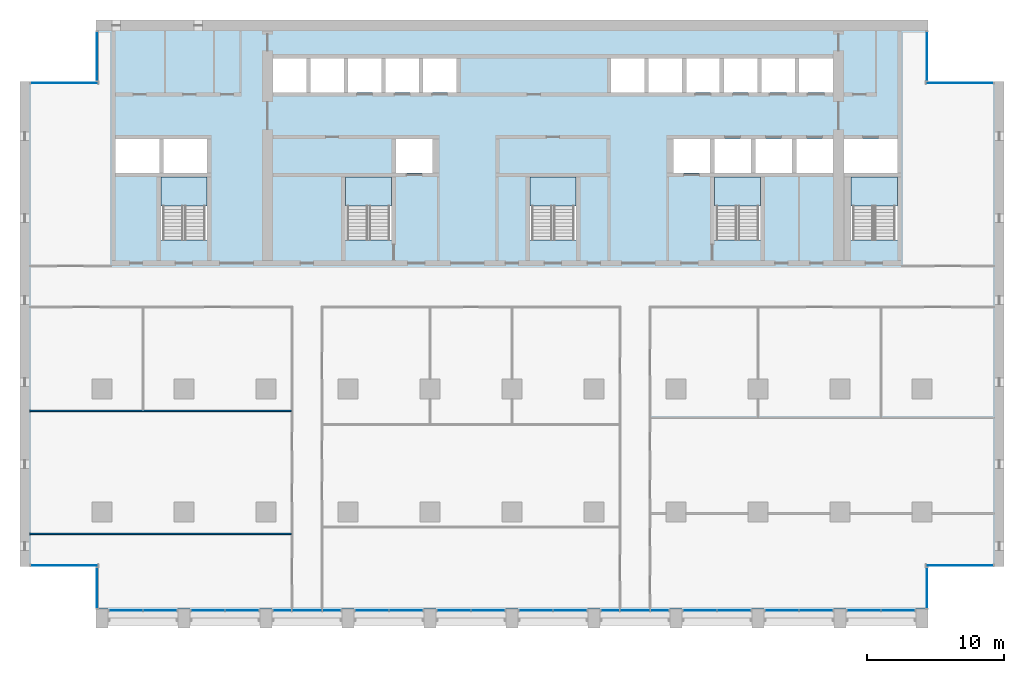
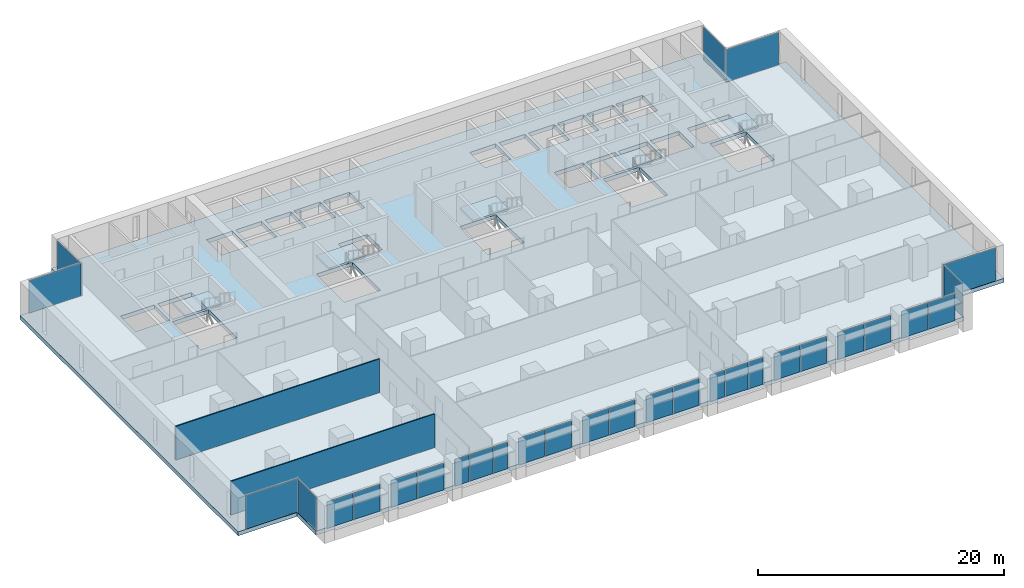
# One storey, part 7 of 17: 30 plates, 6 slabs, 2 walls, 23 elements without a shape of their own.
"""IFC4 building model written with IfcOpenShell, lengths in metres."""

from ifc_helpers import new_model, si_unit, direction, frame, frame_2d, origin, origin_2d, place, context, subcontext, project, spatial, polyline, rectangle, outline, extrude, material, layer, layer_set, type_object, element, aggregate, save


model = new_model("IFC4")

# Units and contexts
model_context = context("Model", 3, precision=1e-05, world=origin(), true_north=direction((0.0, 1.0)))
body_context = subcontext(model_context, "Body", "Model", "MODEL_VIEW")
ifc_project = project(units=[si_unit("LENGTHUNIT", "METRE"), si_unit("AREAUNIT", "SQUARE_METRE"), si_unit("VOLUMEUNIT", "CUBIC_METRE"), si_unit("PLANEANGLEUNIT", "RADIAN"), si_unit("MASSUNIT", "GRAM", prefix="KILO")], contexts=[model_context])

# Site, building, storey
site_placement = place(None, origin())
site = spatial("IfcSite", under=ifc_project, at=site_placement, CompositionType="ELEMENT")
building_placement = place(site_placement, origin())
building = spatial("IfcBuilding", under=site, at=building_placement, Name="Calvaro Tower", CompositionType="ELEMENT")
storey_placement = place(building_placement, frame((0.0, 0.0, 98.75)))
storey = spatial("IfcBuildingStorey", under=building, at=storey_placement, Name="L24", CompositionType="ELEMENT", Elevation=98.75)

# Slab
ifc_material_1 = material(Name="Concrete C40/50", Category="concrete")
ifc_layer_1 = layer(ifc_material_1, 0.39990234375)
ifc_layer_set_1 = layer_set([ifc_layer_1], Name="Concrete C40/50")
slab_type_1 = type_object("IfcSlabType", Name="Floor slab 400 C40/50", PredefinedType="FLOOR", material=ifc_layer_set_1)
slab_1_placement = place(storey_placement, frame((0.0, 0.0, -0.39990234375)))
element("IfcSlab", 1, at=slab_1_placement, inside=storey, type_object=slab_type_1, Name="Floor slab", PredefinedType="FLOOR", context=body_context, shape_type="SweptSolid", body=[
    extrude(outline(polyline([(66.449951171875, 6.0), (66.449951171875, 2.89990234375), (5.550048828125, 2.89990234375), (5.550048828125, 6.0), (0.0, 6.0), (0.0, 41.5), (5.550048828125, 41.5), (5.550048828125, 46.0), (66.449951171875, 46.0), (66.449951171875, 41.5), (72.0, 41.5), (72.0, 6.0), (66.449951171875, 6.0)]), holes=[polyline([(10.300048828125, 29.909912109375), (10.300048828125, 34.5), (12.0, 34.5), (13.699951171875, 34.5), (13.699951171875, 29.909912109375), (12.0, 29.909912109375), (10.300048828125, 29.909912109375)]), polyline([(23.800048828125, 29.909912109375), (23.800048828125, 34.5), (25.5, 34.5), (27.199951171875, 34.5), (27.199951171875, 29.909912109375), (25.5, 29.909912109375), (23.800048828125, 29.909912109375)]), polyline([(37.300048828125, 29.909912109375), (37.300048828125, 34.5), (39.0, 34.5), (40.699951171875, 34.5), (40.699951171875, 29.909912109375), (39.0, 29.909912109375), (37.300048828125, 29.909912109375)]), polyline([(50.800048828125, 29.909912109375), (50.800048828125, 34.5), (52.5, 34.5), (54.199951171875, 34.5), (54.199951171875, 29.909912109375), (52.5, 29.909912109375), (50.800048828125, 29.909912109375)]), polyline([(60.800048828125, 29.909912109375), (60.800048828125, 34.5), (62.5, 34.5), (64.199951171875, 34.5), (64.199951171875, 29.909912109375), (62.5, 29.909912109375), (60.800048828125, 29.909912109375)]), polyline([(50.800048828125, 34.800048828125), (53.5, 34.800048828125), (53.5, 37.300048828125), (50.800048828125, 37.300048828125), (50.800048828125, 34.800048828125)]), polyline([(53.800048828125, 34.800048828125), (56.5, 34.800048828125), (56.5, 37.300048828125), (53.800048828125, 37.300048828125), (53.800048828125, 34.800048828125)]), polyline([(56.800048828125, 34.800048828125), (59.5, 34.800048828125), (59.5, 37.300048828125), (56.800048828125, 37.300048828125), (56.800048828125, 34.800048828125)]), polyline([(18.5, 40.699951171875), (20.949951171875, 40.699951171875), (20.949951171875, 43.199951171875), (18.5, 43.199951171875), (18.5, 40.699951171875)]), polyline([(21.25, 40.699951171875), (23.699951171875, 40.699951171875), (23.699951171875, 43.199951171875), (21.25, 43.199951171875), (21.25, 40.699951171875)]), polyline([(24.0, 40.699951171875), (26.449951171875, 40.699951171875), (26.449951171875, 43.199951171875), (24.0, 43.199951171875), (24.0, 40.699951171875)]), polyline([(26.75, 40.699951171875), (29.199951171875, 40.699951171875), (29.199951171875, 43.199951171875), (26.75, 43.199951171875), (26.75, 40.699951171875)]), polyline([(29.5, 40.699951171875), (31.949951171875, 40.699951171875), (31.949951171875, 43.199951171875), (29.5, 43.199951171875), (29.5, 40.699951171875)]), polyline([(43.25, 40.699951171875), (45.699951171875, 40.699951171875), (45.699951171875, 43.199951171875), (43.25, 43.199951171875), (43.25, 40.699951171875)]), polyline([(46.0, 40.699951171875), (48.449951171875, 40.699951171875), (48.449951171875, 43.199951171875), (46.0, 43.199951171875), (46.0, 40.699951171875)]), polyline([(48.75, 40.699951171875), (51.199951171875, 40.699951171875), (51.199951171875, 43.199951171875), (48.75, 43.199951171875), (48.75, 40.699951171875)]), polyline([(51.5, 40.699951171875), (53.949951171875, 40.699951171875), (53.949951171875, 43.199951171875), (51.5, 43.199951171875), (51.5, 40.699951171875)]), polyline([(54.25, 40.699951171875), (56.699951171875, 40.699951171875), (56.699951171875, 43.199951171875), (54.25, 43.199951171875), (54.25, 40.699951171875)]), polyline([(57.0, 40.699951171875), (59.5, 40.699951171875), (59.5, 43.199951171875), (57.0, 43.199951171875), (57.0, 40.699951171875)]), polyline([(7.0, 34.800048828125), (10.199951171875, 34.800048828125), (10.199951171875, 37.300048828125), (7.0, 37.300048828125), (7.0, 34.800048828125)]), polyline([(10.5, 34.800048828125), (13.699951171875, 34.800048828125), (13.699951171875, 37.300048828125), (10.5, 37.300048828125), (10.5, 34.800048828125)]), polyline([(60.300048828125, 34.800048828125), (64.199951171875, 34.800048828125), (64.199951171875, 37.300048828125), (60.300048828125, 37.300048828125), (60.300048828125, 34.800048828125)]), polyline([(27.5, 34.800048828125), (30.199951171875, 34.800048828125), (30.199951171875, 37.300048828125), (27.5, 37.300048828125), (27.5, 34.800048828125)]), polyline([(47.800048828125, 34.800048828125), (50.5, 34.800048828125), (50.5, 37.300048828125), (47.800048828125, 37.300048828125), (47.800048828125, 34.800048828125)])]), origin(), (0.0, 0.0, 1.0), 0.39990234375),
])

# Curtain wall, plates
ifc_material_2 = material(Name="Anodised aluminium", Category="aluminium")
curtain_wall_type = type_object("IfcCurtainWallType", Name="Office curtain wall, middle zone", PredefinedType="NOTDEFINED", material=ifc_material_2)
curtain_wall_1_placement = place(storey_placement, origin())
curtain_wall_1 = element("IfcCurtainWall", 2, at=curtain_wall_1_placement, inside=storey, type_object=curtain_wall_type, Name="CW2 south curtain wall", PredefinedType="NOTDEFINED")
ifc_material_3 = material(Name="Glass", Category="glass")
ifc_layer_2 = layer(ifc_material_3, 0.031982421875)
ifc_layer_set_2 = layer_set([ifc_layer_2], Name="Glass")
plate_type = type_object("IfcPlateType", Name="Glass panel S2 32", PredefinedType="CURTAIN_PANEL", material=ifc_layer_set_2)
plate_1_placement = place(storey_placement, frame((7.742431640625, 2.800048828125, 0.0), z_axis=(0.0, 0.0, 1.0), x_axis=(1.0, 0.0, 0.0)))
plate_1 = element("IfcPlate", 3, at=plate_1_placement, type_object=plate_type, Name="CW2 glass panel 1.1", PredefinedType="CURTAIN_PANEL", context=body_context, shape_type="SweptSolid", body=[
    extrude(rectangle(XDim=2.445068359375, YDim=0.031982421875, at=origin_2d()), origin(), (0.0, 0.0, 1.0), 2.64990234375),
])
plate_2_placement = place(storey_placement, frame((10.257568359375, 2.800048828125, 0.0), z_axis=(0.0, 0.0, 1.0), x_axis=(1.0, 0.0, 0.0)))
plate_2 = element("IfcPlate", 4, at=plate_2_placement, type_object=plate_type, Name="CW2 glass panel 2.1", PredefinedType="CURTAIN_PANEL", context=body_context, shape_type="SweptSolid", body=[
    extrude(rectangle(XDim=2.445068359375, YDim=0.031982421875, at=origin_2d()), origin(), (0.0, 0.0, 1.0), 2.64990234375),
])
aggregate(curtain_wall_1, [plate_1, plate_2])

curtain_wall_2_placement = place(storey_placement, origin())
curtain_wall_2 = element("IfcCurtainWall", 5, at=curtain_wall_2_placement, inside=storey, type_object=curtain_wall_type, Name="CW2 south curtain wall", PredefinedType="NOTDEFINED")
plate_3_placement = place(storey_placement, frame((13.742431640625, 2.800048828125, 0.0), z_axis=(0.0, 0.0, 1.0), x_axis=(1.0, 0.0, 0.0)))
plate_3 = element("IfcPlate", 6, at=plate_3_placement, type_object=plate_type, Name="CW2 glass panel 1.1", PredefinedType="CURTAIN_PANEL", context=body_context, shape_type="SweptSolid", body=[
    extrude(rectangle(XDim=2.445068359375, YDim=0.031982421875, at=origin_2d()), origin(), (0.0, 0.0, 1.0), 2.64990234375),
])
plate_4_placement = place(storey_placement, frame((16.257568359375, 2.800048828125, 0.0), z_axis=(0.0, 0.0, 1.0), x_axis=(1.0, 0.0, 0.0)))
plate_4 = element("IfcPlate", 7, at=plate_4_placement, type_object=plate_type, Name="CW2 glass panel 2.1", PredefinedType="CURTAIN_PANEL", context=body_context, shape_type="SweptSolid", body=[
    extrude(rectangle(XDim=2.445068359375, YDim=0.031982421875, at=origin_2d()), origin(), (0.0, 0.0, 1.0), 2.64990234375),
])
aggregate(curtain_wall_2, [plate_3, plate_4])

curtain_wall_3_placement = place(storey_placement, origin())
curtain_wall_3 = element("IfcCurtainWall", 8, at=curtain_wall_3_placement, inside=storey, type_object=curtain_wall_type, Name="CW2 south curtain wall", PredefinedType="NOTDEFINED")
plate_5_placement = place(storey_placement, frame((19.1923828125, 2.800048828125, 0.0), z_axis=(0.0, 0.0, 1.0), x_axis=(1.0, 0.0, 0.0)))
plate_5 = element("IfcPlate", 9, at=plate_5_placement, type_object=plate_type, Name="CW2 glass panel 1.1", PredefinedType="CURTAIN_PANEL", context=body_context, shape_type="SweptSolid", body=[
    extrude(rectangle(XDim=1.344970703125, YDim=0.031982421875, at=origin_2d()), origin(), (0.0, 0.0, 1.0), 2.64990234375),
])
plate_6_placement = place(storey_placement, frame((21.0, 2.800048828125, 0.0), z_axis=(0.0, 0.0, 1.0), x_axis=(1.0, 0.0, 0.0)))
plate_6 = element("IfcPlate", 10, at=plate_6_placement, type_object=plate_type, Name="CW2 glass panel 2.1", PredefinedType="CURTAIN_PANEL", context=body_context, shape_type="SweptSolid", body=[
    extrude(rectangle(XDim=2.1298828125, YDim=0.031982421875, at=origin_2d()), origin(), (0.0, 0.0, 1.0), 2.64990234375),
])
plate_7_placement = place(storey_placement, frame((22.8076171875, 2.800048828125, 0.0), z_axis=(0.0, 0.0, 1.0), x_axis=(1.0, 0.0, 0.0)))
plate_7 = element("IfcPlate", 11, at=plate_7_placement, type_object=plate_type, Name="CW2 glass panel 3.1", PredefinedType="CURTAIN_PANEL", context=body_context, shape_type="SweptSolid", body=[
    extrude(rectangle(XDim=1.344970703125, YDim=0.031982421875, at=origin_2d()), origin(), (0.0, 0.0, 1.0), 2.64990234375),
])
aggregate(curtain_wall_3, [plate_5, plate_6, plate_7])

curtain_wall_4_placement = place(storey_placement, origin())
curtain_wall_4 = element("IfcCurtainWall", 12, at=curtain_wall_4_placement, inside=storey, type_object=curtain_wall_type, Name="CW2 south curtain wall", PredefinedType="NOTDEFINED")
plate_8_placement = place(storey_placement, frame((25.742431640625, 2.800048828125, 0.0), z_axis=(0.0, 0.0, 1.0), x_axis=(1.0, 0.0, 0.0)))
plate_8 = element("IfcPlate", 13, at=plate_8_placement, type_object=plate_type, Name="CW2 glass panel 1.1", PredefinedType="CURTAIN_PANEL", context=body_context, shape_type="SweptSolid", body=[
    extrude(rectangle(XDim=2.445068359375, YDim=0.031982421875, at=origin_2d()), origin(), (0.0, 0.0, 1.0), 2.64990234375),
])
plate_9_placement = place(storey_placement, frame((28.257568359375, 2.800048828125, 0.0), z_axis=(0.0, 0.0, 1.0), x_axis=(1.0, 0.0, 0.0)))
plate_9 = element("IfcPlate", 14, at=plate_9_placement, type_object=plate_type, Name="CW2 glass panel 2.1", PredefinedType="CURTAIN_PANEL", context=body_context, shape_type="SweptSolid", body=[
    extrude(rectangle(XDim=2.445068359375, YDim=0.031982421875, at=origin_2d()), origin(), (0.0, 0.0, 1.0), 2.64990234375),
])
aggregate(curtain_wall_4, [plate_8, plate_9])

curtain_wall_5_placement = place(storey_placement, origin())
curtain_wall_5 = element("IfcCurtainWall", 15, at=curtain_wall_5_placement, inside=storey, type_object=curtain_wall_type, Name="CW2 south curtain wall", PredefinedType="NOTDEFINED")
plate_10_placement = place(storey_placement, frame((31.742431640625, 2.800048828125, 0.0), z_axis=(0.0, 0.0, 1.0), x_axis=(1.0, 0.0, 0.0)))
plate_10 = element("IfcPlate", 16, at=plate_10_placement, type_object=plate_type, Name="CW2 glass panel 1.1", PredefinedType="CURTAIN_PANEL", context=body_context, shape_type="SweptSolid", body=[
    extrude(rectangle(XDim=2.445068359375, YDim=0.031982421875, at=origin_2d()), origin(), (0.0, 0.0, 1.0), 2.64990234375),
])
plate_11_placement = place(storey_placement, frame((34.257568359375, 2.800048828125, 0.0), z_axis=(0.0, 0.0, 1.0), x_axis=(1.0, 0.0, 0.0)))
plate_11 = element("IfcPlate", 17, at=plate_11_placement, type_object=plate_type, Name="CW2 glass panel 2.1", PredefinedType="CURTAIN_PANEL", context=body_context, shape_type="SweptSolid", body=[
    extrude(rectangle(XDim=2.445068359375, YDim=0.031982421875, at=origin_2d()), origin(), (0.0, 0.0, 1.0), 2.64990234375),
])
aggregate(curtain_wall_5, [plate_10, plate_11])

curtain_wall_6_placement = place(storey_placement, origin())
curtain_wall_6 = element("IfcCurtainWall", 18, at=curtain_wall_6_placement, inside=storey, type_object=curtain_wall_type, Name="CW2 south curtain wall", PredefinedType="NOTDEFINED")
plate_12_placement = place(storey_placement, frame((37.742431640625, 2.800048828125, 0.0), z_axis=(0.0, 0.0, 1.0), x_axis=(1.0, 0.0, 0.0)))
plate_12 = element("IfcPlate", 19, at=plate_12_placement, type_object=plate_type, Name="CW2 glass panel 1.1", PredefinedType="CURTAIN_PANEL", context=body_context, shape_type="SweptSolid", body=[
    extrude(rectangle(XDim=2.445068359375, YDim=0.031982421875, at=origin_2d()), origin(), (0.0, 0.0, 1.0), 2.64990234375),
])
plate_13_placement = place(storey_placement, frame((40.257568359375, 2.800048828125, 0.0), z_axis=(0.0, 0.0, 1.0), x_axis=(1.0, 0.0, 0.0)))
plate_13 = element("IfcPlate", 20, at=plate_13_placement, type_object=plate_type, Name="CW2 glass panel 2.1", PredefinedType="CURTAIN_PANEL", context=body_context, shape_type="SweptSolid", body=[
    extrude(rectangle(XDim=2.445068359375, YDim=0.031982421875, at=origin_2d()), origin(), (0.0, 0.0, 1.0), 2.64990234375),
])
aggregate(curtain_wall_6, [plate_12, plate_13])

curtain_wall_7_placement = place(storey_placement, origin())
curtain_wall_7 = element("IfcCurtainWall", 21, at=curtain_wall_7_placement, inside=storey, type_object=curtain_wall_type, Name="CW2 south curtain wall", PredefinedType="NOTDEFINED")
plate_14_placement = place(storey_placement, frame((43.1923828125, 2.800048828125, 0.0), z_axis=(0.0, 0.0, 1.0), x_axis=(1.0, 0.0, 0.0)))
plate_14 = element("IfcPlate", 22, at=plate_14_placement, type_object=plate_type, Name="CW2 glass panel 1.1", PredefinedType="CURTAIN_PANEL", context=body_context, shape_type="SweptSolid", body=[
    extrude(rectangle(XDim=1.344970703125, YDim=0.031982421875, at=origin_2d()), origin(), (0.0, 0.0, 1.0), 2.64990234375),
])
plate_15_placement = place(storey_placement, frame((45.0, 2.800048828125, 0.0), z_axis=(0.0, 0.0, 1.0), x_axis=(1.0, 0.0, 0.0)))
plate_15 = element("IfcPlate", 23, at=plate_15_placement, type_object=plate_type, Name="CW2 glass panel 2.1", PredefinedType="CURTAIN_PANEL", context=body_context, shape_type="SweptSolid", body=[
    extrude(rectangle(XDim=2.1298828125, YDim=0.031982421875, at=origin_2d()), origin(), (0.0, 0.0, 1.0), 2.64990234375),
])
plate_16_placement = place(storey_placement, frame((46.8076171875, 2.800048828125, 0.0), z_axis=(0.0, 0.0, 1.0), x_axis=(1.0, 0.0, 0.0)))
plate_16 = element("IfcPlate", 24, at=plate_16_placement, type_object=plate_type, Name="CW2 glass panel 3.1", PredefinedType="CURTAIN_PANEL", context=body_context, shape_type="SweptSolid", body=[
    extrude(rectangle(XDim=1.344970703125, YDim=0.031982421875, at=origin_2d()), origin(), (0.0, 0.0, 1.0), 2.64990234375),
])
aggregate(curtain_wall_7, [plate_14, plate_15, plate_16])

curtain_wall_8_placement = place(storey_placement, origin())
curtain_wall_8 = element("IfcCurtainWall", 25, at=curtain_wall_8_placement, inside=storey, type_object=curtain_wall_type, Name="CW2 south curtain wall", PredefinedType="NOTDEFINED")
plate_17_placement = place(storey_placement, frame((49.742431640625, 2.800048828125, 0.0), z_axis=(0.0, 0.0, 1.0), x_axis=(1.0, 0.0, 0.0)))
plate_17 = element("IfcPlate", 26, at=plate_17_placement, type_object=plate_type, Name="CW2 glass panel 1.1", PredefinedType="CURTAIN_PANEL", context=body_context, shape_type="SweptSolid", body=[
    extrude(rectangle(XDim=2.445068359375, YDim=0.031982421875, at=origin_2d()), origin(), (0.0, 0.0, 1.0), 2.64990234375),
])
plate_18_placement = place(storey_placement, frame((52.257568359375, 2.800048828125, 0.0), z_axis=(0.0, 0.0, 1.0), x_axis=(1.0, 0.0, 0.0)))
plate_18 = element("IfcPlate", 27, at=plate_18_placement, type_object=plate_type, Name="CW2 glass panel 2.1", PredefinedType="CURTAIN_PANEL", context=body_context, shape_type="SweptSolid", body=[
    extrude(rectangle(XDim=2.445068359375, YDim=0.031982421875, at=origin_2d()), origin(), (0.0, 0.0, 1.0), 2.64990234375),
])
aggregate(curtain_wall_8, [plate_17, plate_18])

curtain_wall_9_placement = place(storey_placement, origin())
curtain_wall_9 = element("IfcCurtainWall", 28, at=curtain_wall_9_placement, inside=storey, type_object=curtain_wall_type, Name="CW2 south curtain wall", PredefinedType="NOTDEFINED")
plate_19_placement = place(storey_placement, frame((55.742431640625, 2.800048828125, 0.0), z_axis=(0.0, 0.0, 1.0), x_axis=(1.0, 0.0, 0.0)))
plate_19 = element("IfcPlate", 29, at=plate_19_placement, type_object=plate_type, Name="CW2 glass panel 1.1", PredefinedType="CURTAIN_PANEL", context=body_context, shape_type="SweptSolid", body=[
    extrude(rectangle(XDim=2.445068359375, YDim=0.031982421875, at=origin_2d()), origin(), (0.0, 0.0, 1.0), 2.64990234375),
])
plate_20_placement = place(storey_placement, frame((58.257568359375, 2.800048828125, 0.0), z_axis=(0.0, 0.0, 1.0), x_axis=(1.0, 0.0, 0.0)))
plate_20 = element("IfcPlate", 30, at=plate_20_placement, type_object=plate_type, Name="CW2 glass panel 2.1", PredefinedType="CURTAIN_PANEL", context=body_context, shape_type="SweptSolid", body=[
    extrude(rectangle(XDim=2.445068359375, YDim=0.031982421875, at=origin_2d()), origin(), (0.0, 0.0, 1.0), 2.64990234375),
])
aggregate(curtain_wall_9, [plate_19, plate_20])

curtain_wall_10_placement = place(storey_placement, origin())
curtain_wall_10 = element("IfcCurtainWall", 31, at=curtain_wall_10_placement, inside=storey, type_object=curtain_wall_type, Name="CW2 south curtain wall", PredefinedType="NOTDEFINED")
plate_21_placement = place(storey_placement, frame((61.742431640625, 2.800048828125, 0.0), z_axis=(0.0, 0.0, 1.0), x_axis=(1.0, 0.0, 0.0)))
plate_21 = element("IfcPlate", 32, at=plate_21_placement, type_object=plate_type, Name="CW2 glass panel 1.1", PredefinedType="CURTAIN_PANEL", context=body_context, shape_type="SweptSolid", body=[
    extrude(rectangle(XDim=2.445068359375, YDim=0.031982421875, at=origin_2d()), origin(), (0.0, 0.0, 1.0), 2.64990234375),
])
plate_22_placement = place(storey_placement, frame((64.257568359375, 2.800048828125, 0.0), z_axis=(0.0, 0.0, 1.0), x_axis=(1.0, 0.0, 0.0)))
plate_22 = element("IfcPlate", 33, at=plate_22_placement, type_object=plate_type, Name="CW2 glass panel 2.1", PredefinedType="CURTAIN_PANEL", context=body_context, shape_type="SweptSolid", body=[
    extrude(rectangle(XDim=2.445068359375, YDim=0.031982421875, at=origin_2d()), origin(), (0.0, 0.0, 1.0), 2.64990234375),
])
aggregate(curtain_wall_10, [plate_21, plate_22])

# Curtain wall, plate
curtain_wall_11_placement = place(storey_placement, origin())
curtain_wall_11 = element("IfcCurtainWall", 34, at=curtain_wall_11_placement, inside=storey, type_object=curtain_wall_type, Name="CW2 corner curtain wall", PredefinedType="NOTDEFINED")
plate_23_placement = place(storey_placement, frame((5.64990234375, 4.449951171875, 0.0), z_axis=(0.0, 0.0, 1.0), x_axis=(0.0, 1.0, 0.0)))
plate_23 = element("IfcPlate", 35, at=plate_23_placement, type_object=plate_type, Name="CW2 glass panel 1.1", PredefinedType="CURTAIN_PANEL", context=body_context, shape_type="SweptSolid", body=[
    extrude(rectangle(XDim=2.9599609375, YDim=0.031982421875, at=origin_2d()), origin(), (0.0, 0.0, 1.0), 3.25),
])
aggregate(curtain_wall_11, [plate_23])

curtain_wall_12_placement = place(storey_placement, origin())
curtain_wall_12 = element("IfcCurtainWall", 36, at=curtain_wall_12_placement, inside=storey, type_object=curtain_wall_type, Name="CW2 corner curtain wall", PredefinedType="NOTDEFINED")
plate_24_placement = place(storey_placement, frame((3.22509765625, 6.10009765625, 0.0), z_axis=(0.0, 0.0, 1.0), x_axis=(1.0, 0.0, 0.0)))
plate_24 = element("IfcPlate", 37, at=plate_24_placement, type_object=plate_type, Name="CW2 glass panel 1.1", PredefinedType="CURTAIN_PANEL", context=body_context, shape_type="SweptSolid", body=[
    extrude(rectangle(XDim=4.909912109375, YDim=0.031982421875, at=origin_2d()), origin(), (0.0, 0.0, 1.0), 3.25),
])
aggregate(curtain_wall_12, [plate_24])

curtain_wall_13_placement = place(storey_placement, origin())
curtain_wall_13 = element("IfcCurtainWall", 38, at=curtain_wall_13_placement, inside=storey, type_object=curtain_wall_type, Name="CW2 corner curtain wall", PredefinedType="NOTDEFINED")
plate_25_placement = place(storey_placement, frame((5.64990234375, 43.35009765625, 0.0), z_axis=(0.0, 0.0, 1.0), x_axis=(0.0, 1.0, 0.0)))
plate_25 = element("IfcPlate", 39, at=plate_25_placement, type_object=plate_type, Name="CW2 glass panel 1.1", PredefinedType="CURTAIN_PANEL", context=body_context, shape_type="SweptSolid", body=[
    extrude(rectangle(XDim=3.56005859375, YDim=0.031982421875, at=origin_2d()), origin(), (0.0, 0.0, 1.0), 3.25),
])
aggregate(curtain_wall_13, [plate_25])

curtain_wall_14_placement = place(storey_placement, origin())
curtain_wall_14 = element("IfcCurtainWall", 40, at=curtain_wall_14_placement, inside=storey, type_object=curtain_wall_type, Name="CW2 corner curtain wall", PredefinedType="NOTDEFINED")
plate_26_placement = place(storey_placement, frame((3.22509765625, 41.39990234375, 0.0), z_axis=(0.0, 0.0, 1.0), x_axis=(1.0, 0.0, 0.0)))
plate_26 = element("IfcPlate", 41, at=plate_26_placement, type_object=plate_type, Name="CW2 glass panel 1.1", PredefinedType="CURTAIN_PANEL", context=body_context, shape_type="SweptSolid", body=[
    extrude(rectangle(XDim=4.909912109375, YDim=0.031982421875, at=origin_2d()), origin(), (0.0, 0.0, 1.0), 3.25),
])
aggregate(curtain_wall_14, [plate_26])

curtain_wall_15_placement = place(storey_placement, origin())
curtain_wall_15 = element("IfcCurtainWall", 42, at=curtain_wall_15_placement, inside=storey, type_object=curtain_wall_type, Name="CW2 corner curtain wall", PredefinedType="NOTDEFINED")
plate_27_placement = place(storey_placement, frame((66.35009765625, 4.449951171875, 0.0), z_axis=(0.0, 0.0, 1.0), x_axis=(0.0, 1.0, 0.0)))
plate_27 = element("IfcPlate", 43, at=plate_27_placement, type_object=plate_type, Name="CW2 glass panel 1.1", PredefinedType="CURTAIN_PANEL", context=body_context, shape_type="SweptSolid", body=[
    extrude(rectangle(XDim=2.9599609375, YDim=0.031982421875, at=origin_2d()), origin(), (0.0, 0.0, 1.0), 3.25),
])
aggregate(curtain_wall_15, [plate_27])

curtain_wall_16_placement = place(storey_placement, origin())
curtain_wall_16 = element("IfcCurtainWall", 44, at=curtain_wall_16_placement, inside=storey, type_object=curtain_wall_type, Name="CW2 corner curtain wall", PredefinedType="NOTDEFINED")
plate_28_placement = place(storey_placement, frame((68.77490234375, 6.10009765625, 0.0), z_axis=(0.0, 0.0, 1.0), x_axis=(1.0, 0.0, 0.0)))
plate_28 = element("IfcPlate", 45, at=plate_28_placement, type_object=plate_type, Name="CW2 glass panel 1.1", PredefinedType="CURTAIN_PANEL", context=body_context, shape_type="SweptSolid", body=[
    extrude(rectangle(XDim=4.909912109375, YDim=0.031982421875, at=origin_2d()), origin(), (0.0, 0.0, 1.0), 3.25),
])
aggregate(curtain_wall_16, [plate_28])

curtain_wall_17_placement = place(storey_placement, origin())
curtain_wall_17 = element("IfcCurtainWall", 46, at=curtain_wall_17_placement, inside=storey, type_object=curtain_wall_type, Name="CW2 corner curtain wall", PredefinedType="NOTDEFINED")
plate_29_placement = place(storey_placement, frame((66.35009765625, 43.35009765625, 0.0), z_axis=(0.0, 0.0, 1.0), x_axis=(0.0, 1.0, 0.0)))
plate_29 = element("IfcPlate", 47, at=plate_29_placement, type_object=plate_type, Name="CW2 glass panel 1.1", PredefinedType="CURTAIN_PANEL", context=body_context, shape_type="SweptSolid", body=[
    extrude(rectangle(XDim=3.56005859375, YDim=0.031982421875, at=origin_2d()), origin(), (0.0, 0.0, 1.0), 3.25),
])
aggregate(curtain_wall_17, [plate_29])

curtain_wall_18_placement = place(storey_placement, origin())
curtain_wall_18 = element("IfcCurtainWall", 48, at=curtain_wall_18_placement, inside=storey, type_object=curtain_wall_type, Name="CW2 corner curtain wall", PredefinedType="NOTDEFINED")
plate_30_placement = place(storey_placement, frame((68.77490234375, 41.39990234375, 0.0), z_axis=(0.0, 0.0, 1.0), x_axis=(1.0, 0.0, 0.0)))
plate_30 = element("IfcPlate", 49, at=plate_30_placement, type_object=plate_type, Name="CW2 glass panel 1.1", PredefinedType="CURTAIN_PANEL", context=body_context, shape_type="SweptSolid", body=[
    extrude(rectangle(XDim=4.909912109375, YDim=0.031982421875, at=origin_2d()), origin(), (0.0, 0.0, 1.0), 3.25),
])
aggregate(curtain_wall_18, [plate_30])

# Stair, slab
ifc_material_4 = material(Name="Concrete C40/50", Category="concrete")
stair_type = type_object("IfcStairType", Name="Exit stair 1400 2 flights", PredefinedType="HALF_TURN_STAIR", material=ifc_material_4)
stair_1_placement = place(storey_placement, origin())
stair_1 = element("IfcStair", 50, at=stair_1_placement, inside=storey, type_object=stair_type, Name="Exit stair S1", PredefinedType="HALF_TURN_STAIR")
ifc_material_5 = material(Name="Concrete C40/50", Category="concrete")
ifc_layer_3 = layer(ifc_material_5, 0.199951171875)
ifc_layer_set_3 = layer_set([ifc_layer_3], Name="Concrete C40/50")
slab_type_2 = type_object("IfcSlabType", Name="Stair landing", PredefinedType="LANDING", material=ifc_layer_set_3)
slab_2_placement = place(storey_placement, frame((0.0, 0.0, 1.675048828125)))
slab_2 = element("IfcSlab", 51, at=slab_2_placement, type_object=slab_type_2, Name="Exit stair 1, landing 1", PredefinedType="LANDING", context=body_context, shape_type="SweptSolid", body=[
    extrude(outline(polyline([(11.89990234375, 32.389892578125), (10.5, 32.389892578125), (10.5, 32.39990234375), (10.300048828125, 32.39990234375), (10.300048828125, 34.5), (10.5, 34.5), (11.89990234375, 34.5), (12.10009765625, 34.5), (13.5, 34.5), (13.699951171875, 34.5), (13.699951171875, 32.39990234375), (13.5, 32.39990234375), (13.5, 32.389892578125), (12.10009765625, 32.389892578125), (12.10009765625, 32.39990234375), (11.89990234375, 32.39990234375), (11.89990234375, 32.389892578125)])), origin(), (0.0, 0.0, 1.0), 0.199951171875),
])
aggregate(stair_1, [slab_2])

stair_2_placement = place(storey_placement, origin())
stair_2 = element("IfcStair", 52, at=stair_2_placement, inside=storey, type_object=stair_type, Name="Exit stair S2", PredefinedType="HALF_TURN_STAIR")
slab_3_placement = place(storey_placement, frame((0.0, 0.0, 1.675048828125)))
slab_3 = element("IfcSlab", 53, at=slab_3_placement, type_object=slab_type_2, Name="Exit stair 2, landing 1", PredefinedType="LANDING", context=body_context, shape_type="SweptSolid", body=[
    extrude(outline(polyline([(25.39990234375, 32.389892578125), (24.0, 32.389892578125), (24.0, 32.39990234375), (23.800048828125, 32.39990234375), (23.800048828125, 34.5), (24.0, 34.5), (25.39990234375, 34.5), (25.60009765625, 34.5), (27.0, 34.5), (27.199951171875, 34.5), (27.199951171875, 32.39990234375), (27.0, 32.39990234375), (27.0, 32.389892578125), (25.60009765625, 32.389892578125), (25.60009765625, 32.39990234375), (25.39990234375, 32.39990234375), (25.39990234375, 32.389892578125)])), origin(), (0.0, 0.0, 1.0), 0.199951171875),
])
aggregate(stair_2, [slab_3])

stair_3_placement = place(storey_placement, origin())
stair_3 = element("IfcStair", 54, at=stair_3_placement, inside=storey, type_object=stair_type, Name="Exit stair S3", PredefinedType="HALF_TURN_STAIR")
slab_4_placement = place(storey_placement, frame((0.0, 0.0, 1.675048828125)))
slab_4 = element("IfcSlab", 55, at=slab_4_placement, type_object=slab_type_2, Name="Exit stair 3, landing 1", PredefinedType="LANDING", context=body_context, shape_type="SweptSolid", body=[
    extrude(outline(polyline([(38.89990234375, 32.389892578125), (37.5, 32.389892578125), (37.5, 32.39990234375), (37.300048828125, 32.39990234375), (37.300048828125, 34.5), (37.5, 34.5), (38.89990234375, 34.5), (39.10009765625, 34.5), (40.5, 34.5), (40.699951171875, 34.5), (40.699951171875, 32.39990234375), (40.5, 32.39990234375), (40.5, 32.389892578125), (39.10009765625, 32.389892578125), (39.10009765625, 32.39990234375), (38.89990234375, 32.39990234375), (38.89990234375, 32.389892578125)])), origin(), (0.0, 0.0, 1.0), 0.199951171875),
])
aggregate(stair_3, [slab_4])

stair_4_placement = place(storey_placement, origin())
stair_4 = element("IfcStair", 56, at=stair_4_placement, inside=storey, type_object=stair_type, Name="Exit stair S4", PredefinedType="HALF_TURN_STAIR")
slab_5_placement = place(storey_placement, frame((0.0, 0.0, 1.675048828125)))
slab_5 = element("IfcSlab", 57, at=slab_5_placement, type_object=slab_type_2, Name="Exit stair 4, landing 1", PredefinedType="LANDING", context=body_context, shape_type="SweptSolid", body=[
    extrude(outline(polyline([(52.39990234375, 32.389892578125), (51.0, 32.389892578125), (51.0, 32.39990234375), (50.800048828125, 32.39990234375), (50.800048828125, 34.5), (51.0, 34.5), (52.39990234375, 34.5), (52.60009765625, 34.5), (54.0, 34.5), (54.199951171875, 34.5), (54.199951171875, 32.39990234375), (54.0, 32.39990234375), (54.0, 32.389892578125), (52.60009765625, 32.389892578125), (52.60009765625, 32.39990234375), (52.39990234375, 32.39990234375), (52.39990234375, 32.389892578125)])), origin(), (0.0, 0.0, 1.0), 0.199951171875),
])
aggregate(stair_4, [slab_5])

stair_5_placement = place(storey_placement, origin())
stair_5 = element("IfcStair", 58, at=stair_5_placement, inside=storey, type_object=stair_type, Name="Exit stair S5", PredefinedType="HALF_TURN_STAIR")
slab_6_placement = place(storey_placement, frame((0.0, 0.0, 1.675048828125)))
slab_6 = element("IfcSlab", 59, at=slab_6_placement, type_object=slab_type_2, Name="Exit stair 5, landing 1", PredefinedType="LANDING", context=body_context, shape_type="SweptSolid", body=[
    extrude(outline(polyline([(62.39990234375, 32.389892578125), (61.0, 32.389892578125), (61.0, 32.39990234375), (60.800048828125, 32.39990234375), (60.800048828125, 34.5), (61.0, 34.5), (62.39990234375, 34.5), (62.60009765625, 34.5), (64.0, 34.5), (64.199951171875, 34.5), (64.199951171875, 32.39990234375), (64.0, 32.39990234375), (64.0, 32.389892578125), (62.60009765625, 32.389892578125), (62.60009765625, 32.39990234375), (62.39990234375, 32.39990234375), (62.39990234375, 32.389892578125)])), origin(), (0.0, 0.0, 1.0), 0.199951171875),
])
aggregate(stair_5, [slab_6])

# Walls
ifc_material_6 = material(Name="Plasterboard on steel studs", Category="steel")
ifc_layer_4 = layer(ifc_material_6, 0.10009765625)
ifc_layer_set_4 = layer_set([ifc_layer_4], Name="Plasterboard on steel studs")
wall_type = type_object("IfcWallType", Name="Partition 100", PredefinedType="PARTITIONING", material=ifc_layer_set_4)
for number, where, z_axis, x_axis, name in (
    (60, (0.699951171875, 8.39990234375, 0.0), (0.0, 0.0, 1.0), (1.0, 0.0, 0.0), "Partition T16.W001"),
    (61, (0.699951171875, 17.39990234375, 0.0), (0.0, 0.0, 1.0), (1.0, 0.0, 0.0), "Partition T16.W010"),
):
    element("IfcWall", number, at=place(storey_placement, frame(where, z_axis=z_axis, x_axis=x_axis)), inside=storey, type_object=wall_type, Name=name, PredefinedType="PARTITIONING", context=body_context, shape_type="SweptSolid", body=[
        extrude(rectangle(XDim=19.150146484375, YDim=0.10009765625, at=frame_2d((9.5751953125, 0.0))), origin(), (0.0, 0.0, 1.0), 3.35009765625),
    ])

save(model, "model.ifc")
